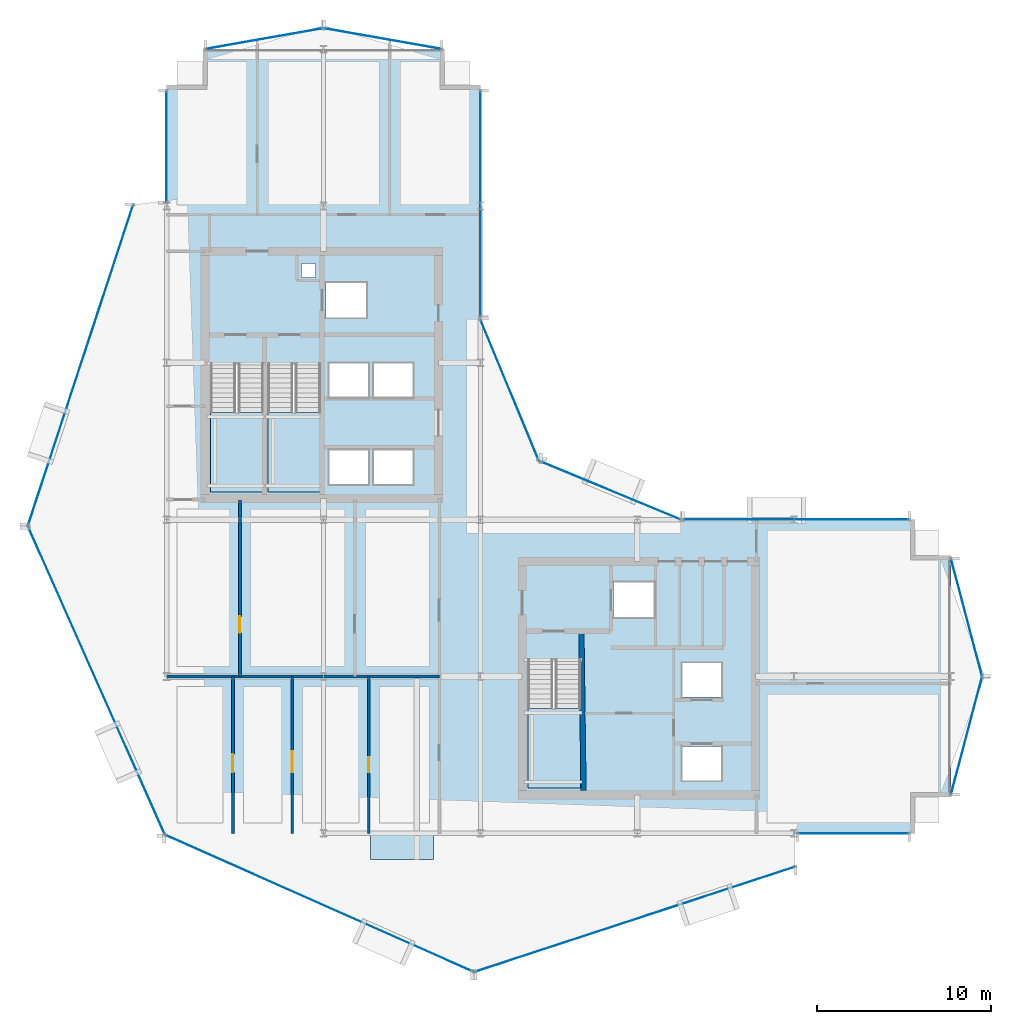
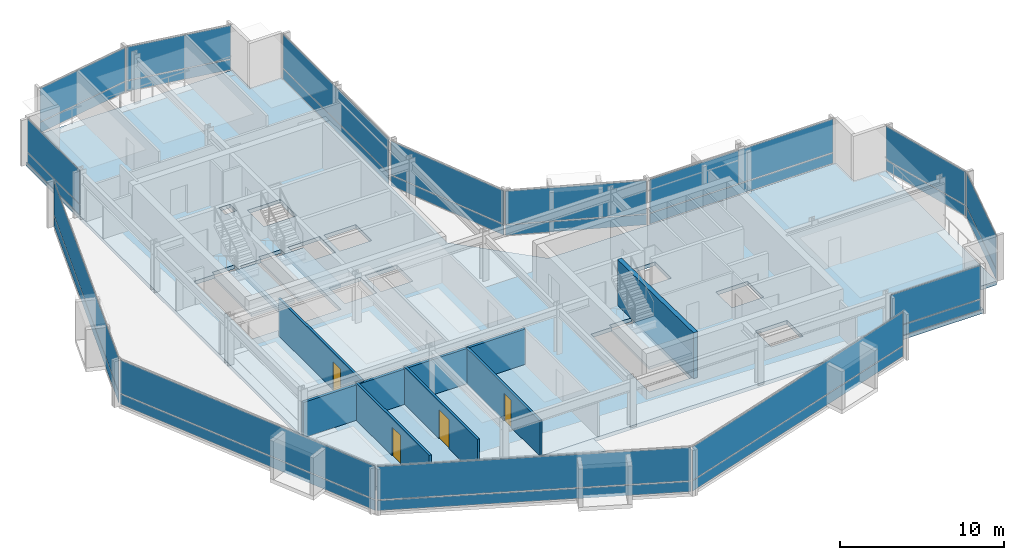
# One storey, part 21 of 28: 28 plates, 6 walls, 5 slabs, 4 doors, 4 openings, 17 elements without a shape of their own.
"""IFC4 building model written with IfcOpenShell, lengths in metres."""

from ifc_helpers import new_model, si_unit, direction, frame, frame_2d, origin, origin_2d, place, context, subcontext, project, spatial, polyline, rectangle, outline, extrude, material, layer, layer_set, type_object, element, fill, aggregate, save


model = new_model("IFC4")

# Units and contexts
model_context = context("Model", 3, precision=1e-05, world=origin(), true_north=direction((0.0, 1.0)))
body_context = subcontext(model_context, "Body", "Model", "MODEL_VIEW")
ifc_project = project(units=[si_unit("LENGTHUNIT", "METRE"), si_unit("AREAUNIT", "SQUARE_METRE"), si_unit("VOLUMEUNIT", "CUBIC_METRE"), si_unit("PLANEANGLEUNIT", "RADIAN"), si_unit("MASSUNIT", "GRAM", prefix="KILO")], contexts=[model_context])

# Site, building, storey
site_placement = place(None, origin())
site = spatial("IfcSite", under=ifc_project, at=site_placement, CompositionType="ELEMENT")
building_placement = place(site_placement, origin())
building = spatial("IfcBuilding", under=site, at=building_placement, Name="Solvaryn Broadcast Tower", CompositionType="ELEMENT")
storey_placement = place(building_placement, frame((0.0, 0.0, 150.699951171875)))
storey = spatial("IfcBuildingStorey", under=building, at=storey_placement, Name="L37", CompositionType="ELEMENT", Elevation=150.699951171875)

# Curtain wall, plates
ifc_material_1 = material(Name="Aluminium and Terracotta Unitised Curtain Wall", Category="masonry")
ifc_layer_1 = layer(ifc_material_1, 0.199951171875)
ifc_layer_set_1 = layer_set([ifc_layer_1], Name="CW-SYS2-LOWMID")
curtain_wall_type_1 = type_object("IfcCurtainWallType", Name="CW-SYS2-LOWMID", PredefinedType="NOTDEFINED", material=ifc_layer_set_1)
curtain_wall_1_placement = place(storey_placement, origin())
curtain_wall_1 = element("IfcCurtainWall", 1, at=curtain_wall_1_placement, inside=storey, type_object=curtain_wall_type_1, Name="L37 Curtain Wall DR1", PredefinedType="NOTDEFINED")
ifc_material_2 = material(Name="Low-Iron Insulated Vision Glass", Category="glass")
ifc_layer_2 = layer(ifc_material_2, 0.035888671875)
ifc_layer_set_2 = layer_set([ifc_layer_2], Name="CW-PNL-VISION")
plate_type = type_object("IfcPlateType", Name="CW-PNL-VISION", PredefinedType="CURTAIN_PANEL", material=ifc_layer_set_2)
plate_1_placement = place(storey_placement, frame((4.056396484375, 35.8515625, 0.06005859375), z_axis=(0.0, 0.0, 1.0), x_axis=(-0.311646057547, -0.950198260794, 0.0)))
plate_1 = element("IfcPlate", 2, at=plate_1_placement, type_object=plate_type, Name="CWS2 panel 1.1", PredefinedType="CURTAIN_PANEL", context=body_context, shape_type="SweptSolid", body=[
    extrude(rectangle(XDim=19.277099609375, YDim=0.028076171875, at=origin_2d()), origin(), (0.0, 0.0, 1.0), 0.760009765625),
])
plate_2_placement = place(storey_placement, frame((4.056396484375, 35.8515625, 0.880126953125), z_axis=(0.0, 0.0, 1.0), x_axis=(-0.311646057547, -0.950198260794, 0.0)))
plate_2 = element("IfcPlate", 3, at=plate_2_placement, type_object=plate_type, Name="CWS2 panel 1.2", PredefinedType="CURTAIN_PANEL", context=body_context, shape_type="SweptSolid", body=[
    extrude(rectangle(XDim=19.277099609375, YDim=0.028076171875, at=origin_2d()), origin(), (0.0, 0.0, 1.0), 2.47998046875),
])
aggregate(curtain_wall_1, [plate_1, plate_2])

ifc_material_3 = material(Name="Aluminium and Terracotta Unitised Curtain Wall", Category="masonry")
ifc_layer_3 = layer(ifc_material_3, 0.239990234375)
ifc_layer_set_3 = layer_set([ifc_layer_3], Name="CW-SYS3-BAYBOX")
curtain_wall_type_2 = type_object("IfcCurtainWallType", Name="CW-SYS3-BAYBOX", PredefinedType="NOTDEFINED", material=ifc_layer_set_3)
curtain_wall_2_placement = place(storey_placement, origin())
curtain_wall_2 = element("IfcCurtainWall", 4, at=curtain_wall_2_placement, inside=storey, type_object=curtain_wall_type_2, Name="L37 Curtain Wall DR2", PredefinedType="NOTDEFINED")
plate_3_placement = place(storey_placement, frame((4.970947265625, 17.77197265625, 0.06005859375), z_axis=(0.0, 0.0, 1.0), x_axis=(0.405918429309, -0.913909311008, 0.0)))
plate_3 = element("IfcPlate", 5, at=plate_3_placement, type_object=plate_type, Name="CWS3 panel 1.1", PredefinedType="CURTAIN_PANEL", context=body_context, shape_type="SweptSolid", body=[
    extrude(rectangle(XDim=19.278076171875, YDim=0.028076171875, at=origin_2d()), origin(), (0.0, 0.0, 1.0), 0.760009765625),
])
plate_4_placement = place(storey_placement, frame((4.970947265625, 17.77197265625, 0.880126953125), z_axis=(0.0, 0.0, 1.0), x_axis=(0.405918429309, -0.913909311008, 0.0)))
plate_4 = element("IfcPlate", 6, at=plate_4_placement, type_object=plate_type, Name="CWS3 panel 1.2", PredefinedType="CURTAIN_PANEL", context=body_context, shape_type="SweptSolid", body=[
    extrude(rectangle(XDim=19.278076171875, YDim=0.028076171875, at=origin_2d()), origin(), (0.0, 0.0, 1.0), 2.47998046875),
])
aggregate(curtain_wall_2, [plate_3, plate_4])

curtain_wall_3_placement = place(storey_placement, origin())
curtain_wall_3 = element("IfcCurtainWall", 7, at=curtain_wall_3_placement, inside=storey, type_object=curtain_wall_type_1, Name="L37 Curtain Wall DR3", PredefinedType="NOTDEFINED")
plate_5_placement = place(storey_placement, frame((17.77197265625, 4.970947265625, 0.06005859375), z_axis=(0.0, 0.0, 1.0), x_axis=(0.913909311008, -0.405918429309, 0.0)))
plate_5 = element("IfcPlate", 8, at=plate_5_placement, type_object=plate_type, Name="CWS2 panel 1.1", PredefinedType="CURTAIN_PANEL", context=body_context, shape_type="SweptSolid", body=[
    extrude(rectangle(XDim=19.278076171875, YDim=0.028076171875, at=origin_2d()), origin(), (0.0, 0.0, 1.0), 0.760009765625),
])
plate_6_placement = place(storey_placement, frame((17.77197265625, 4.970947265625, 0.880126953125), z_axis=(0.0, 0.0, 1.0), x_axis=(0.913909311008, -0.405918429309, 0.0)))
plate_6 = element("IfcPlate", 9, at=plate_6_placement, type_object=plate_type, Name="CWS2 panel 1.2", PredefinedType="CURTAIN_PANEL", context=body_context, shape_type="SweptSolid", body=[
    extrude(rectangle(XDim=19.278076171875, YDim=0.028076171875, at=origin_2d()), origin(), (0.0, 0.0, 1.0), 2.47998046875),
])
aggregate(curtain_wall_3, [plate_5, plate_6])

curtain_wall_4_placement = place(storey_placement, origin())
curtain_wall_4 = element("IfcCurtainWall", 10, at=curtain_wall_4_placement, inside=storey, type_object=curtain_wall_type_1, Name="L37 Curtain Wall DR4", PredefinedType="NOTDEFINED")
plate_7_placement = place(storey_placement, frame((35.8515625, 4.056396484375, 0.06005859375), z_axis=(0.0, 0.0, 1.0), x_axis=(0.950198260794, 0.311646057547, 0.0)))
plate_7 = element("IfcPlate", 11, at=plate_7_placement, type_object=plate_type, Name="CWS2 panel 1.1", PredefinedType="CURTAIN_PANEL", context=body_context, shape_type="SweptSolid", body=[
    extrude(rectangle(XDim=19.277099609375, YDim=0.028076171875, at=origin_2d()), origin(), (0.0, 0.0, 1.0), 0.760009765625),
])
plate_8_placement = place(storey_placement, frame((35.8515625, 4.056396484375, 0.880126953125), z_axis=(0.0, 0.0, 1.0), x_axis=(0.950198260794, 0.311646057547, 0.0)))
plate_8 = element("IfcPlate", 12, at=plate_8_placement, type_object=plate_type, Name="CWS2 panel 1.2", PredefinedType="CURTAIN_PANEL", context=body_context, shape_type="SweptSolid", body=[
    extrude(rectangle(XDim=19.277099609375, YDim=0.028076171875, at=origin_2d()), origin(), (0.0, 0.0, 1.0), 2.47998046875),
])
aggregate(curtain_wall_4, [plate_7, plate_8])

curtain_wall_5_placement = place(storey_placement, origin())
curtain_wall_5 = element("IfcCurtainWall", 13, at=curtain_wall_5_placement, inside=storey, type_object=curtain_wall_type_1, Name="L37 Curtain Wall W2", PredefinedType="NOTDEFINED")
plate_9_placement = place(storey_placement, frame((9.0, 48.408447265625, 0.06005859375), z_axis=(0.0, 0.0, 1.0), x_axis=(0.0, 1.0, 0.0)))
plate_9 = element("IfcPlate", 14, at=plate_9_placement, type_object=plate_type, Name="CWS2 panel 1.1", PredefinedType="CURTAIN_PANEL", context=body_context, shape_type="SweptSolid", body=[
    extrude(rectangle(XDim=6.363037109375, YDim=0.028076171875, at=origin_2d()), origin(), (0.0, 0.0, 1.0), 0.760009765625),
])
plate_10_placement = place(storey_placement, frame((9.0, 48.408447265625, 0.880126953125), z_axis=(0.0, 0.0, 1.0), x_axis=(0.0, 1.0, 0.0)))
plate_10 = element("IfcPlate", 15, at=plate_10_placement, type_object=plate_type, Name="CWS2 panel 1.2", PredefinedType="CURTAIN_PANEL", context=body_context, shape_type="SweptSolid", body=[
    extrude(rectangle(XDim=6.363037109375, YDim=0.028076171875, at=origin_2d()), origin(), (0.0, 0.0, 1.0), 2.47998046875),
])
aggregate(curtain_wall_5, [plate_9, plate_10])

curtain_wall_6_placement = place(storey_placement, origin())
curtain_wall_6 = element("IfcCurtainWall", 16, at=curtain_wall_6_placement, inside=storey, type_object=curtain_wall_type_1, Name="L37 Curtain Wall IV", PredefinedType="NOTDEFINED")
plate_11_placement = place(storey_placement, frame((27.0, 45.125, 0.06005859375), z_axis=(0.0, 0.0, 1.0), x_axis=(0.0, -1.0, 0.0)))
plate_11 = element("IfcPlate", 17, at=plate_11_placement, type_object=plate_type, Name="CWS2 panel 1.1", PredefinedType="CURTAIN_PANEL", context=body_context, shape_type="SweptSolid", body=[
    extrude(rectangle(XDim=12.929931640625, YDim=0.028076171875, at=origin_2d()), origin(), (0.0, 0.0, 1.0), 0.760009765625),
])
plate_12_placement = place(storey_placement, frame((27.0, 45.125, 0.880126953125), z_axis=(0.0, 0.0, 1.0), x_axis=(0.0, -1.0, 0.0)))
plate_12 = element("IfcPlate", 18, at=plate_12_placement, type_object=plate_type, Name="CWS2 panel 1.2", PredefinedType="CURTAIN_PANEL", context=body_context, shape_type="SweptSolid", body=[
    extrude(rectangle(XDim=12.929931640625, YDim=0.028076171875, at=origin_2d()), origin(), (0.0, 0.0, 1.0), 2.47998046875),
])
aggregate(curtain_wall_6, [plate_11, plate_12])

curtain_wall_7_placement = place(storey_placement, origin())
curtain_wall_7 = element("IfcCurtainWall", 19, at=curtain_wall_7_placement, inside=storey, type_object=curtain_wall_type_1, Name="L37 Curtain Wall CN1", PredefinedType="NOTDEFINED")
plate_13_placement = place(storey_placement, frame((34.43408203125, 28.68408203125, 0.06005859375), z_axis=(0.0, 0.0, 1.0), x_axis=(-0.923894983957, 0.382646127145, 0.0)))
plate_13 = element("IfcPlate", 20, at=plate_13_placement, type_object=plate_type, Name="CWS2 panel 1.1", PredefinedType="CURTAIN_PANEL", context=body_context, shape_type="SweptSolid", body=[
    extrude(rectangle(XDim=8.681884765625, YDim=0.028076171875, at=origin_2d()), origin(), (0.0, 0.0, 1.0), 0.760009765625),
])
plate_14_placement = place(storey_placement, frame((34.43408203125, 28.68408203125, 0.880126953125), z_axis=(0.0, 0.0, 1.0), x_axis=(-0.923894983957, 0.382646127145, 0.0)))
plate_14 = element("IfcPlate", 21, at=plate_14_placement, type_object=plate_type, Name="CWS2 panel 1.2", PredefinedType="CURTAIN_PANEL", context=body_context, shape_type="SweptSolid", body=[
    extrude(rectangle(XDim=8.681884765625, YDim=0.028076171875, at=origin_2d()), origin(), (0.0, 0.0, 1.0), 2.47998046875),
])
aggregate(curtain_wall_7, [plate_13, plate_14])

curtain_wall_8_placement = place(storey_placement, origin())
curtain_wall_8 = element("IfcCurtainWall", 22, at=curtain_wall_8_placement, inside=storey, type_object=curtain_wall_type_1, Name="L37 Curtain Wall CN2", PredefinedType="NOTDEFINED")
plate_15_placement = place(storey_placement, frame((28.68408203125, 34.43408203125, 0.06005859375), z_axis=(0.0, 0.0, 1.0), x_axis=(-0.382646127145, 0.923894983957, 0.0)))
plate_15 = element("IfcPlate", 23, at=plate_15_placement, type_object=plate_type, Name="CWS2 panel 1.1", PredefinedType="CURTAIN_PANEL", context=body_context, shape_type="SweptSolid", body=[
    extrude(rectangle(XDim=8.681884765625, YDim=0.028076171875, at=origin_2d()), origin(), (0.0, 0.0, 1.0), 0.760009765625),
])
plate_16_placement = place(storey_placement, frame((28.68408203125, 34.43408203125, 0.880126953125), z_axis=(0.0, 0.0, 1.0), x_axis=(-0.382646127145, 0.923894983957, 0.0)))
plate_16 = element("IfcPlate", 24, at=plate_16_placement, type_object=plate_type, Name="CWS2 panel 1.2", PredefinedType="CURTAIN_PANEL", context=body_context, shape_type="SweptSolid", body=[
    extrude(rectangle(XDim=8.681884765625, YDim=0.028076171875, at=origin_2d()), origin(), (0.0, 0.0, 1.0), 2.47998046875),
])
aggregate(curtain_wall_8, [plate_15, plate_16])

curtain_wall_9_placement = place(storey_placement, origin())
curtain_wall_9 = element("IfcCurtainWall", 25, at=curtain_wall_9_placement, inside=storey, type_object=curtain_wall_type_1, Name="L37 Curtain Wall S2", PredefinedType="NOTDEFINED")
plate_17_placement = place(storey_placement, frame((48.408447265625, 9.0, 0.06005859375), z_axis=(0.0, 0.0, 1.0), x_axis=(1.0, 0.0, 0.0)))
plate_17 = element("IfcPlate", 26, at=plate_17_placement, type_object=plate_type, Name="CWS2 panel 1.1", PredefinedType="CURTAIN_PANEL", context=body_context, shape_type="SweptSolid", body=[
    extrude(rectangle(XDim=6.363037109375, YDim=0.028076171875, at=origin_2d()), origin(), (0.0, 0.0, 1.0), 0.760009765625),
])
plate_18_placement = place(storey_placement, frame((48.408447265625, 9.0, 0.880126953125), z_axis=(0.0, 0.0, 1.0), x_axis=(1.0, 0.0, 0.0)))
plate_18 = element("IfcPlate", 27, at=plate_18_placement, type_object=plate_type, Name="CWS2 panel 1.2", PredefinedType="CURTAIN_PANEL", context=body_context, shape_type="SweptSolid", body=[
    extrude(rectangle(XDim=6.363037109375, YDim=0.028076171875, at=origin_2d()), origin(), (0.0, 0.0, 1.0), 2.47998046875),
])
aggregate(curtain_wall_9, [plate_17, plate_18])

curtain_wall_10_placement = place(storey_placement, origin())
curtain_wall_10 = element("IfcCurtainWall", 28, at=curtain_wall_10_placement, inside=storey, type_object=curtain_wall_type_1, Name="L37 Curtain Wall NT1", PredefinedType="NOTDEFINED")
plate_19_placement = place(storey_placement, frame((21.39990234375, 54.60009765625, 0.06005859375), z_axis=(0.0, 0.0, 1.0), x_axis=(-0.984783558819, 0.173785333901, 0.0)))
plate_19 = element("IfcPlate", 29, at=plate_19_placement, type_object=plate_type, Name="CWS2 panel 1.1", PredefinedType="CURTAIN_PANEL", context=body_context, shape_type="SweptSolid", body=[
    extrude(rectangle(XDim=6.78515625, YDim=0.028076171875, at=origin_2d()), origin(), (0.0, 0.0, 1.0), 0.760009765625),
])
plate_20_placement = place(storey_placement, frame((21.39990234375, 54.60009765625, 0.880126953125), z_axis=(0.0, 0.0, 1.0), x_axis=(-0.984783558819, 0.173785333901, 0.0)))
plate_20 = element("IfcPlate", 30, at=plate_20_placement, type_object=plate_type, Name="CWS2 panel 1.2", PredefinedType="CURTAIN_PANEL", context=body_context, shape_type="SweptSolid", body=[
    extrude(rectangle(XDim=6.78515625, YDim=0.028076171875, at=origin_2d()), origin(), (0.0, 0.0, 1.0), 2.47998046875),
])
aggregate(curtain_wall_10, [plate_19, plate_20])

curtain_wall_11_placement = place(storey_placement, origin())
curtain_wall_11 = element("IfcCurtainWall", 31, at=curtain_wall_11_placement, inside=storey, type_object=curtain_wall_type_1, Name="L37 Curtain Wall NT2", PredefinedType="NOTDEFINED")
plate_21_placement = place(storey_placement, frame((14.60009765625, 54.60009765625, 0.06005859375), z_axis=(0.0, 0.0, 1.0), x_axis=(-0.984783558819, -0.173785333901, 0.0)))
plate_21 = element("IfcPlate", 32, at=plate_21_placement, type_object=plate_type, Name="CWS2 panel 1.1", PredefinedType="CURTAIN_PANEL", context=body_context, shape_type="SweptSolid", body=[
    extrude(rectangle(XDim=6.78515625, YDim=0.028076171875, at=origin_2d()), origin(), (0.0, 0.0, 1.0), 0.760009765625),
])
plate_22_placement = place(storey_placement, frame((14.60009765625, 54.60009765625, 0.880126953125), z_axis=(0.0, 0.0, 1.0), x_axis=(-0.984783558819, -0.173785333901, 0.0)))
plate_22 = element("IfcPlate", 33, at=plate_22_placement, type_object=plate_type, Name="CWS2 panel 1.2", PredefinedType="CURTAIN_PANEL", context=body_context, shape_type="SweptSolid", body=[
    extrude(rectangle(XDim=6.78515625, YDim=0.028076171875, at=origin_2d()), origin(), (0.0, 0.0, 1.0), 2.47998046875),
])
aggregate(curtain_wall_11, [plate_21, plate_22])

curtain_wall_12_placement = place(storey_placement, origin())
curtain_wall_12 = element("IfcCurtainWall", 34, at=curtain_wall_12_placement, inside=storey, type_object=curtain_wall_type_1, Name="L37 Curtain Wall ET1", PredefinedType="NOTDEFINED")
plate_23_placement = place(storey_placement, frame((54.89990234375, 21.39990234375, 0.06005859375), z_axis=(0.0, 0.0, 1.0), x_axis=(0.25589256031, -0.966705227863, 0.0)))
plate_23 = element("IfcPlate", 35, at=plate_23_placement, type_object=plate_type, Name="CWS2 panel 1.1", PredefinedType="CURTAIN_PANEL", context=body_context, shape_type="SweptSolid", body=[
    extrude(rectangle(XDim=6.914306640625, YDim=0.028076171875, at=origin_2d()), origin(), (0.0, 0.0, 1.0), 0.760009765625),
])
plate_24_placement = place(storey_placement, frame((54.89990234375, 21.39990234375, 0.880126953125), z_axis=(0.0, 0.0, 1.0), x_axis=(0.25589256031, -0.966705227863, 0.0)))
plate_24 = element("IfcPlate", 36, at=plate_24_placement, type_object=plate_type, Name="CWS2 panel 1.2", PredefinedType="CURTAIN_PANEL", context=body_context, shape_type="SweptSolid", body=[
    extrude(rectangle(XDim=6.914306640625, YDim=0.028076171875, at=origin_2d()), origin(), (0.0, 0.0, 1.0), 2.47998046875),
])
aggregate(curtain_wall_12, [plate_23, plate_24])

curtain_wall_13_placement = place(storey_placement, origin())
curtain_wall_13 = element("IfcCurtainWall", 37, at=curtain_wall_13_placement, inside=storey, type_object=curtain_wall_type_1, Name="L37 Curtain Wall ET2", PredefinedType="NOTDEFINED")
plate_25_placement = place(storey_placement, frame((54.89990234375, 14.60009765625, 0.06005859375), z_axis=(0.0, 0.0, 1.0), x_axis=(-0.25589256031, -0.966705227863, 0.0)))
plate_25 = element("IfcPlate", 38, at=plate_25_placement, type_object=plate_type, Name="CWS2 panel 1.1", PredefinedType="CURTAIN_PANEL", context=body_context, shape_type="SweptSolid", body=[
    extrude(rectangle(XDim=6.914306640625, YDim=0.028076171875, at=origin_2d()), origin(), (0.0, 0.0, 1.0), 0.760009765625),
])
plate_26_placement = place(storey_placement, frame((54.89990234375, 14.60009765625, 0.880126953125), z_axis=(0.0, 0.0, 1.0), x_axis=(-0.25589256031, -0.966705227863, 0.0)))
plate_26 = element("IfcPlate", 39, at=plate_26_placement, type_object=plate_type, Name="CWS2 panel 1.2", PredefinedType="CURTAIN_PANEL", context=body_context, shape_type="SweptSolid", body=[
    extrude(rectangle(XDim=6.914306640625, YDim=0.028076171875, at=origin_2d()), origin(), (0.0, 0.0, 1.0), 2.47998046875),
])
aggregate(curtain_wall_13, [plate_25, plate_26])

curtain_wall_14_placement = place(storey_placement, origin())
curtain_wall_14 = element("IfcCurtainWall", 40, at=curtain_wall_14_placement, inside=storey, type_object=curtain_wall_type_1, Name="L37 Curtain Wall IH", PredefinedType="NOTDEFINED")
plate_27_placement = place(storey_placement, frame((45.125, 27.0, 0.06005859375), z_axis=(0.0, 0.0, 1.0), x_axis=(1.0, 0.0, 0.0)))
plate_27 = element("IfcPlate", 41, at=plate_27_placement, type_object=plate_type, Name="CWS2 panel 1.1", PredefinedType="CURTAIN_PANEL", context=body_context, shape_type="SweptSolid", body=[
    extrude(rectangle(XDim=12.929931640625, YDim=0.028076171875, at=origin_2d()), origin(), (0.0, 0.0, 1.0), 0.760009765625),
])
plate_28_placement = place(storey_placement, frame((45.125, 27.0, 0.880126953125), z_axis=(0.0, 0.0, 1.0), x_axis=(1.0, 0.0, 0.0)))
plate_28 = element("IfcPlate", 42, at=plate_28_placement, type_object=plate_type, Name="CWS2 panel 1.2", PredefinedType="CURTAIN_PANEL", context=body_context, shape_type="SweptSolid", body=[
    extrude(rectangle(XDim=12.929931640625, YDim=0.028076171875, at=origin_2d()), origin(), (0.0, 0.0, 1.0), 2.47998046875),
])
aggregate(curtain_wall_14, [plate_27, plate_28])

# Slab
ifc_material_4 = material(Name="Concrete f'c 60 MPa", Category="concrete")
ifc_layer_4 = layer(ifc_material_4, 0.2099609375)
ifc_layer_set_4 = layer_set([ifc_layer_4], Name="SL-BAYBOX-210")
slab_type_1 = type_object("IfcSlabType", Name="SL-BAYBOX-210", PredefinedType="FLOOR", material=ifc_layer_set_4)
slab_1_placement = place(storey_placement, frame((0.0, 0.0, -0.2099609375)))
element("IfcSlab", 43, at=slab_1_placement, inside=storey, type_object=slab_type_1, Name="L37 Projecting Bay-Box Slab 1", PredefinedType="FLOOR", context=body_context, shape_type="SweptSolid", body=[
    extrude(outline(polyline([(20.699951171875, 7.5), (24.300048828125, 7.5), (24.300048828125, 9.0), (20.699951171875, 9.0), (20.699951171875, 7.5)])), origin(), (0.0, 0.0, 1.0), 0.2099609375),
])

# Stair, slab
ifc_material_5 = material(Name="Concrete f'c 60 MPa", Category="concrete")
stair_type = type_object("IfcStairType", Name="ST-CORE", PredefinedType="HALF_TURN_STAIR", material=ifc_material_5)
stair_1_placement = place(storey_placement, origin())
stair_1 = element("IfcStair", 44, at=stair_1_placement, inside=storey, type_object=stair_type, Name="L37 ST1", PredefinedType="HALF_TURN_STAIR")
ifc_material_6 = material(Name="Concrete f'c 60 MPa", Category="concrete")
ifc_layer_5 = layer(ifc_material_6, 0.199951171875)
ifc_layer_set_5 = layer_set([ifc_layer_5], Name="SL-LANDING-200")
slab_type_2 = type_object("IfcSlabType", Name="SL-LANDING-200", PredefinedType="LANDING", material=ifc_layer_set_5)
slab_2_placement = place(storey_placement, frame((0.0, 0.0, 1.650146484375)))
slab_2 = element("IfcSlab", 45, at=slab_2_placement, type_object=slab_type_2, Name="ST1 landing 1", PredefinedType="LANDING", context=body_context, shape_type="SweptSolid", body=[
    extrude(outline(polyline([(11.52001953125, 33.159912109375), (11.52001953125, 28.60009765625), (14.550048828125, 28.60009765625), (14.550048828125, 33.159912109375), (11.52001953125, 33.159912109375)])), origin(), (0.0, 0.0, 1.0), 0.199951171875),
])
aggregate(stair_1, [slab_2])

stair_2_placement = place(storey_placement, origin())
stair_2 = element("IfcStair", 46, at=stair_2_placement, inside=storey, type_object=stair_type, Name="L37 ST2", PredefinedType="HALF_TURN_STAIR")
slab_3_placement = place(storey_placement, frame((0.0, 0.0, 1.650146484375)))
slab_3 = element("IfcSlab", 47, at=slab_3_placement, type_object=slab_type_2, Name="ST2 landing 1", PredefinedType="LANDING", context=body_context, shape_type="SweptSolid", body=[
    extrude(outline(polyline([(14.800048828125, 33.159912109375), (14.800048828125, 28.60009765625), (17.830078125, 28.60009765625), (17.830078125, 33.159912109375), (14.800048828125, 33.159912109375)])), origin(), (0.0, 0.0, 1.0), 0.199951171875),
])
aggregate(stair_2, [slab_3])

stair_3_placement = place(storey_placement, origin())
stair_3 = element("IfcStair", 48, at=stair_3_placement, inside=storey, type_object=stair_type, Name="L37 ST3", PredefinedType="HALF_TURN_STAIR")
slab_4_placement = place(storey_placement, frame((0.0, 0.0, 1.650146484375)))
slab_4 = element("IfcSlab", 49, at=slab_4_placement, type_object=slab_type_2, Name="ST3 landing 1", PredefinedType="LANDING", context=body_context, shape_type="SweptSolid", body=[
    extrude(outline(polyline([(29.719970703125, 16.159912109375), (29.719970703125, 11.60009765625), (32.75, 11.60009765625), (32.75, 16.159912109375), (29.719970703125, 16.159912109375)])), origin(), (0.0, 0.0, 1.0), 0.199951171875),
])
aggregate(stair_3, [slab_4])

# Slab
ifc_material_7 = material(Name="Concrete f'c 60 MPa", Category="concrete")
ifc_layer_6 = layer(ifc_material_7, 0.280029296875)
ifc_layer_set_6 = layer_set([ifc_layer_6], Name="SL-TWR-280")
slab_type_3 = type_object("IfcSlabType", Name="SL-TWR-280", PredefinedType="FLOOR", material=ifc_layer_set_6)
slab_5_placement = place(storey_placement, frame((0.0, 0.0, -0.280029296875)))
element("IfcSlab", 50, at=slab_5_placement, inside=storey, type_object=slab_type_3, Name="L37 Structural Floor Slab", PredefinedType="FLOOR", context=body_context, shape_type="SweptSolid", body=[
    extrude(outline(polyline([(11.199951171875, 9.0), (51.800048828125, 9.0), (51.800048828125, 11.199951171875), (54.0, 11.199951171875), (54.0, 24.800048828125), (51.800048828125, 24.800048828125), (51.800048828125, 27.0), (31.5, 27.0), (27.0, 31.5), (27.0, 51.800048828125), (24.800048828125, 51.800048828125), (24.800048828125, 54.0), (11.199951171875, 54.0), (11.199951171875, 51.800048828125), (9.0, 51.800048828125), (9.0, 11.199951171875), (11.199951171875, 11.199951171875), (11.199951171875, 9.0)]), holes=[polyline([(11.52001953125, 28.60009765625), (14.550048828125, 28.60009765625), (14.550048828125, 35.9599609375), (12.97998046875, 35.9599609375), (12.97998046875, 35.679931640625), (11.52001953125, 35.679931640625), (11.52001953125, 28.60009765625)]), polyline([(14.800048828125, 28.60009765625), (17.830078125, 28.60009765625), (17.830078125, 35.9599609375), (16.260009765625, 35.9599609375), (16.260009765625, 35.679931640625), (14.800048828125, 35.679931640625), (14.800048828125, 28.60009765625)]), polyline([(29.719970703125, 11.60009765625), (32.75, 11.60009765625), (32.75, 18.9599609375), (31.179931640625, 18.9599609375), (31.179931640625, 18.679931640625), (29.719970703125, 18.679931640625), (29.719970703125, 11.60009765625)]), polyline([(18.14990234375, 38.60009765625), (20.449951171875, 38.60009765625), (20.449951171875, 40.60009765625), (18.14990234375, 40.60009765625), (18.14990234375, 38.60009765625)]), polyline([(18.324951171875, 29.02490234375), (20.574951171875, 29.02490234375), (20.574951171875, 30.97509765625), (18.324951171875, 30.97509765625), (18.324951171875, 29.02490234375)]), polyline([(20.875, 29.02490234375), (23.125, 29.02490234375), (23.125, 30.97509765625), (20.875, 30.97509765625), (20.875, 29.02490234375)]), polyline([(18.324951171875, 34.02490234375), (20.574951171875, 34.02490234375), (20.574951171875, 35.97509765625), (18.324951171875, 35.97509765625), (18.324951171875, 34.02490234375)]), polyline([(20.875, 34.02490234375), (23.125, 34.02490234375), (23.125, 35.97509765625), (20.875, 35.97509765625), (20.875, 34.02490234375)]), polyline([(34.64990234375, 21.39990234375), (36.949951171875, 21.39990234375), (36.949951171875, 23.39990234375), (34.64990234375, 23.39990234375), (34.64990234375, 21.39990234375)]), polyline([(38.574951171875, 12.02490234375), (40.824951171875, 12.02490234375), (40.824951171875, 13.97509765625), (38.574951171875, 13.97509765625), (38.574951171875, 12.02490234375)]), polyline([(38.574951171875, 16.824951171875), (40.824951171875, 16.824951171875), (40.824951171875, 18.77490234375), (38.574951171875, 18.77490234375), (38.574951171875, 16.824951171875)]), polyline([(16.75, 40.89990234375), (17.550048828125, 40.89990234375), (17.550048828125, 41.699951171875), (16.75, 41.699951171875), (16.75, 40.89990234375)])]), origin(), (0.0, 0.0, 1.0), 0.280029296875),
])

# Wall, opening, door
ifc_material_8 = material(Name="Metal-Stud Gypsum Office Partition")
ifc_layer_7 = layer(ifc_material_8, 0.159912109375)
ifc_layer_set_7 = layer_set([ifc_layer_7], Name="IW-PART-160")
wall_type_1 = type_object("IfcWallType", Name="IW-PART-160", PredefinedType="PARTITIONING", material=ifc_layer_set_7)
wall_1_placement = place(storey_placement, frame((13.199951171875, 18.0, 0.0), z_axis=(0.0, 0.0, 1.0), x_axis=(0.0, 1.0, 0.0)))
wall_1 = element("IfcWall", 51, at=wall_1_placement, inside=storey, type_object=wall_type_1, Name="L37 Interior Partition IW-L37-SWN-V1", PredefinedType="PARTITIONING", context=body_context, shape_type="SweptSolid", body=[
    extrude(rectangle(XDim=10.1298828125, YDim=0.159912109375, at=frame_2d((5.06494140625, 0.0))), origin(), (0.0, 0.0, 1.0), 2.7890625),
])
opening_1_placement = place(wall_1_placement, frame((2.5, 0.0, 0.0)))
opening_1 = element("IfcOpeningElement", 52, at=opening_1_placement, cuts=wall_1, Name="Opening ID01", PredefinedType="OPENING", context=body_context, shape_type="SweptSolid", body=[
    extrude(rectangle(XDim=0.949951171875, YDim=2.10009765625, at=frame_2d((0.47509765625, 1.050048828125))), frame((0.0, 0.090087890625, 0.0), z_axis=(0.0, -1.0, 0.0), x_axis=(1.0, 0.0, 0.0)), (0.0, 0.0, 1.0), 0.179931640625),
])
ifc_material_9 = material(Name="Flush Acoustic Steel and Timber Door Assembly", Category="steel")
door_type_1 = type_object("IfcDoorType", Name="ID-01-950X2100", OperationType="NOTDEFINED", PredefinedType="DOOR", material=ifc_material_9)
door_1_placement = place(opening_1_placement, origin())
door_1 = element("IfcDoor", 53, at=door_1_placement, inside=storey, type_object=door_type_1, Name="L37 Door DR-L37-SWN-1", OperationType="SINGLE_SWING_RIGHT", OverallHeight=2.10009765625, OverallWidth=0.949951171875, PredefinedType="DOOR", context=body_context, shape_type="SweptSolid", body=[
    extrude(rectangle(XDim=0.949951171875, YDim=2.10009765625, at=frame_2d((0.47509765625, 1.050048828125))), frame((0.0, 0.02490234375, 0.0), z_axis=(0.0, -1.0, 0.0), x_axis=(1.0, 0.0, 0.0)), (0.0, 0.0, 1.0), 0.050048828125),
])
fill(opening_1, door_1)

wall_2_placement = place(storey_placement, frame((12.800048828125, 9.0, 0.0), z_axis=(0.0, 0.0, 1.0), x_axis=(0.0, 1.0, 0.0)))
wall_2 = element("IfcWall", 54, at=wall_2_placement, inside=storey, type_object=wall_type_1, Name="L37 Interior Partition IW-L37-SWS-V1", PredefinedType="PARTITIONING", context=body_context, shape_type="SweptSolid", body=[
    extrude(rectangle(XDim=9.0, YDim=0.159912109375, at=frame_2d((4.5, 0.0))), origin(), (0.0, 0.0, 1.0), 2.7890625),
])
opening_2_placement = place(wall_2_placement, frame((3.5, 0.0, 0.0)))
opening_2 = element("IfcOpeningElement", 55, at=opening_2_placement, cuts=wall_2, Name="Opening ID03", PredefinedType="OPENING", context=body_context, shape_type="SweptSolid", body=[
    extrude(rectangle(XDim=1.050048828125, YDim=2.14990234375, at=frame_2d((0.52490234375, 1.074951171875))), frame((0.0, 0.090087890625, 0.0), z_axis=(0.0, -1.0, 0.0), x_axis=(1.0, 0.0, 0.0)), (0.0, 0.0, 1.0), 0.179931640625),
])
ifc_material_10 = material(Name="Flush Acoustic Steel and Timber Door Assembly", Category="steel")
door_type_2 = type_object("IfcDoorType", Name="ID-03-1050X2150", OperationType="NOTDEFINED", PredefinedType="DOOR", material=ifc_material_10)
door_2_placement = place(opening_2_placement, origin())
door_2 = element("IfcDoor", 56, at=door_2_placement, inside=storey, type_object=door_type_2, Name="L37 Door DR-L37-SWS-1", OperationType="SINGLE_SWING_RIGHT", OverallHeight=2.14990234375, OverallWidth=1.050048828125, PredefinedType="DOOR", context=body_context, shape_type="SweptSolid", body=[
    extrude(rectangle(XDim=1.050048828125, YDim=2.14990234375, at=frame_2d((0.52490234375, 1.074951171875))), frame((0.0, 0.02490234375, 0.0), z_axis=(0.0, -1.0, 0.0), x_axis=(1.0, 0.0, 0.0)), (0.0, 0.0, 1.0), 0.050048828125),
])
fill(opening_2, door_2)

wall_3_placement = place(storey_placement, frame((16.199951171875, 9.0, 0.0), z_axis=(0.0, 0.0, 1.0), x_axis=(0.0, 1.0, 0.0)))
wall_3 = element("IfcWall", 57, at=wall_3_placement, inside=storey, type_object=wall_type_1, Name="L37 Interior Partition IW-L37-SWS-V2", PredefinedType="PARTITIONING", context=body_context, shape_type="SweptSolid", body=[
    extrude(rectangle(XDim=9.0, YDim=0.159912109375, at=frame_2d((4.5, 0.0))), origin(), (0.0, 0.0, 1.0), 2.7890625),
])
opening_3_placement = place(wall_3_placement, frame((3.5, 0.0, 0.0)))
opening_3 = element("IfcOpeningElement", 58, at=opening_3_placement, cuts=wall_3, Name="Opening ID04", PredefinedType="OPENING", context=body_context, shape_type="SweptSolid", body=[
    extrude(rectangle(XDim=1.199951171875, YDim=2.14990234375, at=frame_2d((0.60009765625, 1.074951171875))), frame((0.0, 0.090087890625, 0.0), z_axis=(0.0, -1.0, 0.0), x_axis=(1.0, 0.0, 0.0)), (0.0, 0.0, 1.0), 0.179931640625),
])
ifc_material_11 = material(Name="Flush Acoustic Steel and Timber Door Assembly", Category="steel")
door_type_3 = type_object("IfcDoorType", Name="ID-04-1200X2150", OperationType="NOTDEFINED", PredefinedType="DOOR", material=ifc_material_11)
door_3_placement = place(opening_3_placement, origin())
door_3 = element("IfcDoor", 59, at=door_3_placement, inside=storey, type_object=door_type_3, Name="L37 Door DR-L37-SWS-2", OperationType="SINGLE_SWING_LEFT", OverallHeight=2.14990234375, OverallWidth=1.199951171875, PredefinedType="DOOR", context=body_context, shape_type="SweptSolid", body=[
    extrude(rectangle(XDim=1.199951171875, YDim=2.14990234375, at=frame_2d((0.60009765625, 1.074951171875))), frame((0.0, 0.02490234375, 0.0), z_axis=(0.0, -1.0, 0.0), x_axis=(1.0, 0.0, 0.0)), (0.0, 0.0, 1.0), 0.050048828125),
])
fill(opening_3, door_3)

wall_4_placement = place(storey_placement, frame((20.60009765625, 9.0, 0.0), z_axis=(0.0, 0.0, 1.0), x_axis=(0.0, 1.0, 0.0)))
wall_4 = element("IfcWall", 60, at=wall_4_placement, inside=storey, type_object=wall_type_1, Name="L37 Interior Partition IW-L37-SWS-V3", PredefinedType="PARTITIONING", context=body_context, shape_type="SweptSolid", body=[
    extrude(rectangle(XDim=9.0, YDim=0.159912109375, at=frame_2d((4.5, 0.0))), origin(), (0.0, 0.0, 1.0), 2.634033203125),
])
opening_4_placement = place(wall_4_placement, frame((3.5, 0.0, 0.0)))
opening_4 = element("IfcOpeningElement", 61, at=opening_4_placement, cuts=wall_4, Name="Opening ID07", PredefinedType="OPENING", context=body_context, shape_type="SweptSolid", body=[
    extrude(rectangle(XDim=0.860107421875, YDim=2.050048828125, at=frame_2d((0.43017578125, 1.02490234375))), frame((0.0, 0.090087890625, 0.0), z_axis=(0.0, -1.0, 0.0), x_axis=(1.0, 0.0, 0.0)), (0.0, 0.0, 1.0), 0.179931640625),
])
ifc_material_12 = material(Name="Flush Acoustic Steel and Timber Door Assembly", Category="steel")
door_type_4 = type_object("IfcDoorType", Name="ID-07-860X2050", OperationType="NOTDEFINED", PredefinedType="DOOR", material=ifc_material_12)
door_4_placement = place(opening_4_placement, origin())
door_4 = element("IfcDoor", 62, at=door_4_placement, inside=storey, type_object=door_type_4, Name="L37 Door DR-L37-SWS-3", OperationType="SINGLE_SWING_RIGHT", OverallHeight=2.050048828125, OverallWidth=0.860107421875, PredefinedType="DOOR", context=body_context, shape_type="SweptSolid", body=[
    extrude(rectangle(XDim=0.860107421875, YDim=2.050048828125, at=frame_2d((0.43017578125, 1.02490234375))), frame((0.0, 0.02490234375, 0.0), z_axis=(0.0, -1.0, 0.0), x_axis=(1.0, 0.0, 0.0)), (0.0, 0.0, 1.0), 0.050048828125),
])
fill(opening_4, door_4)

# Walls
ifc_material_13 = material(Name="Acoustic Metal-Stud Gypsum Partition")
ifc_layer_8 = layer(ifc_material_13, 0.179931640625)
ifc_layer_set_8 = layer_set([ifc_layer_8], Name="IW-PART-180")
wall_type_2 = type_object("IfcWallType", Name="IW-PART-180", PredefinedType="PARTITIONING", material=ifc_layer_set_8)
wall_5_placement = place(storey_placement, frame((9.0, 18.0, 0.0), z_axis=(0.0, 0.0, 1.0), x_axis=(1.0, 0.0, 0.0)))
element("IfcWall", 63, at=wall_5_placement, inside=storey, type_object=wall_type_2, Name="L37 Interior Partition IW-L37-SW-HY", PredefinedType="PARTITIONING", context=body_context, shape_type="SweptSolid", body=[
    extrude(rectangle(XDim=15.64990234375, YDim=0.179931640625, at=frame_2d((7.824951171875, 0.0))), origin(), (0.0, 0.0, 1.0), 2.634033203125),
])
ifc_material_14 = material(Name="Concrete f'c 70 MPa", Category="concrete")
ifc_layer_9 = layer(ifc_material_14, 0.300048828125)
ifc_layer_set_9 = layer_set([ifc_layer_9], Name="SW-SHAFT-300")
wall_type_3 = type_object("IfcWallType", Name="SW-SHAFT-300", PredefinedType="SHEAR", material=ifc_layer_set_9)
wall_6_placement = place(storey_placement, frame((32.919921875, 11.449951171875, 0.0), z_axis=(0.0, 0.0, 1.0), x_axis=(-0.013171578211, 0.999913251001, 0.0)))
element("IfcWall", 64, at=wall_6_placement, inside=storey, type_object=wall_type_3, Name="L37 Stair 3 East Shear Wall", PredefinedType="SHEAR", context=body_context, shape_type="SweptSolid", body=[
    extrude(rectangle(XDim=9.100830078125, YDim=0.300048828125, at=frame_2d((4.55029296875, 0.0))), origin(), (0.0, 0.0, 1.0), 3.420166015625),
])

save(model, "model.ifc")
